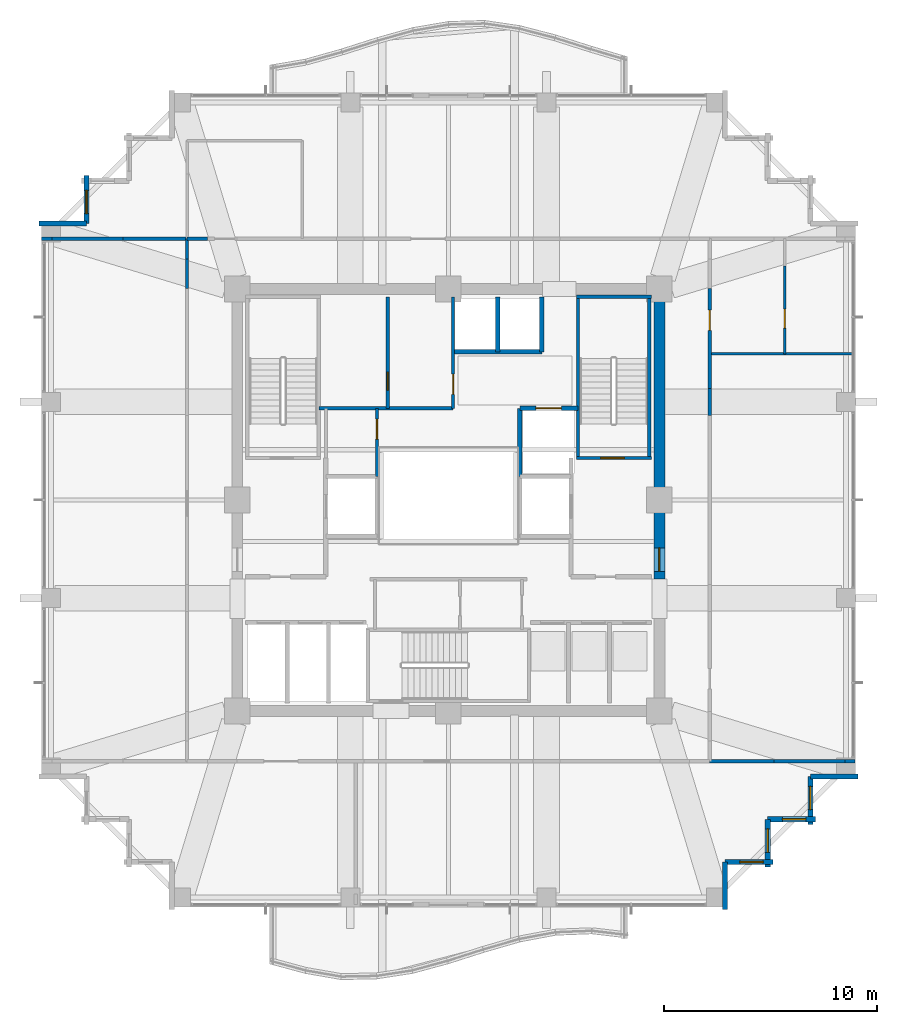
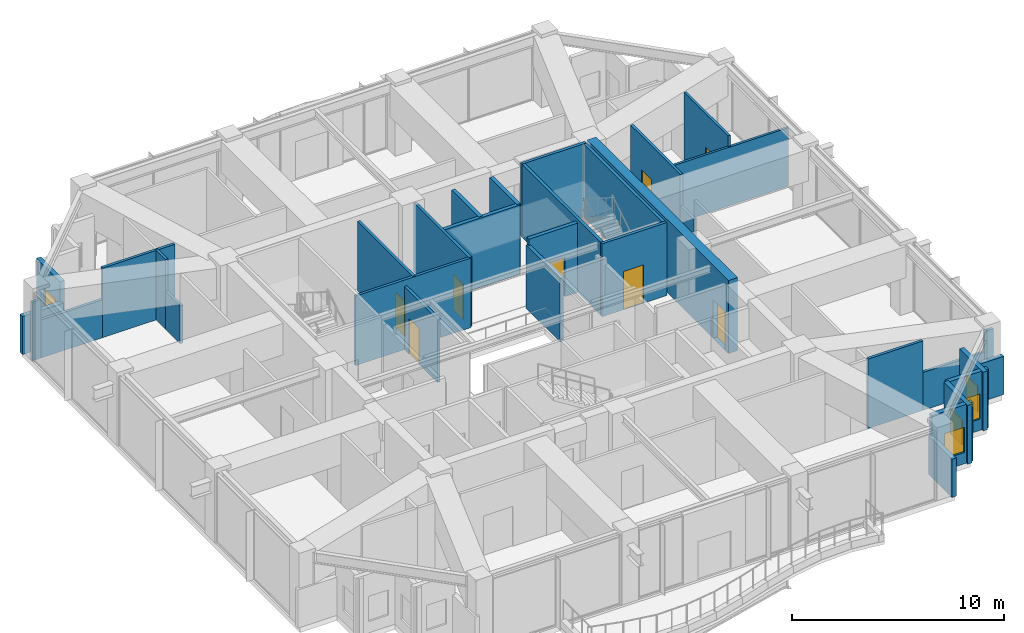
# One storey, part 28 of 33: 35 walls, 8 doors, 5 windows, 13 openings.
"""IFC4 building model written with IfcOpenShell, lengths in metres."""

from ifc_helpers import new_model, si_unit, direction, frame, frame_2d, origin, place, context, subcontext, project, spatial, rectangle, extrude, material, layer, layer_set, type_object, element, fill, save


model = new_model("IFC4")

# Units and contexts
model_context = context("Model", 3, precision=1e-05, world=origin(), true_north=direction((0.0, 1.0)))
body_context = subcontext(model_context, "Body", "Model", "MODEL_VIEW")
ifc_project = project(units=[si_unit("LENGTHUNIT", "METRE"), si_unit("AREAUNIT", "SQUARE_METRE"), si_unit("VOLUMEUNIT", "CUBIC_METRE"), si_unit("PLANEANGLEUNIT", "RADIAN"), si_unit("MASSUNIT", "GRAM", prefix="KILO")], contexts=[model_context])

# Site, building, storey
site_placement = place(None, origin())
site = spatial("IfcSite", under=ifc_project, at=site_placement, CompositionType="ELEMENT")
building_placement = place(site_placement, origin())
building = spatial("IfcBuilding", under=site, at=building_placement, Name="Kolvaren Belvedere", CompositionType="ELEMENT")
storey_placement = place(building_placement, frame((0.0, 0.0, 152.699951171875)))
storey = spatial("IfcBuildingStorey", under=building, at=storey_placement, Name="L44", CompositionType="ELEMENT", Elevation=152.699951171875)

# Wall, opening, door
ifc_material_1 = material(Name="Concrete C50/60", Category="concrete")
ifc_layer_1 = layer(ifc_material_1, 0.5)
ifc_layer_set_1 = layer_set([ifc_layer_1], Name="Concrete C50/60")
wall_type_1 = type_object("IfcWallType", Name="CW-CORE-500", PredefinedType="SHEAR", material=ifc_layer_set_1)
wall_1_placement = place(storey_placement, frame((9.89990234375, -3.699951171875, 0.0), z_axis=(0.0, 0.0, 1.0), x_axis=(0.0, 1.0, 0.0)))
wall_1 = element("IfcWall", 1, at=wall_1_placement, inside=storey, type_object=wall_type_1, Name="L44 East Core Shear Wall 2", PredefinedType="SHEAR", context=body_context, shape_type="SweptSolid", body=[
    extrude(rectangle(XDim=13.349853515625, YDim=0.5, at=frame_2d((6.6748046875, 0.0))), origin(), (0.0, 0.0, 1.0), 4.199951171875),
])
opening_1_placement = place(wall_1_placement, frame((0.35009765625, 0.0, 0.0)))
opening_1 = element("IfcOpeningElement", 2, at=opening_1_placement, cuts=wall_1, Name="Opening D-FD90", PredefinedType="OPENING", context=body_context, shape_type="SweptSolid", body=[
    extrude(rectangle(XDim=1.10009765625, YDim=2.199951171875, at=frame_2d((0.550048828125, 1.10009765625))), frame((0.0, 0.260009765625, 0.0), z_axis=(0.0, -1.0, 0.0), x_axis=(1.0, 0.0, 0.0)), (0.0, 0.0, 1.0), 0.52001953125),
])
ifc_material_2 = material(Name="Painted hollow stainless steel", Category="steel")
door_type_1 = type_object("IfcDoorType", Name="DR-FD90-1100", OperationType="NOTDEFINED", PredefinedType="DOOR", material=ifc_material_2)
door_1_placement = place(opening_1_placement, origin())
door_1 = element("IfcDoor", 3, at=door_1_placement, inside=storey, type_object=door_type_1, Name="L44 East Firefighting Lobby Fire Door", OperationType="SINGLE_SWING_RIGHT", OverallHeight=2.199951171875, OverallWidth=1.10009765625, PredefinedType="DOOR", context=body_context, shape_type="SweptSolid", body=[
    extrude(rectangle(XDim=1.10009765625, YDim=2.199951171875, at=frame_2d((0.550048828125, 1.10009765625))), frame((0.0, 0.02490234375, 0.0), z_axis=(0.0, -1.0, 0.0), x_axis=(1.0, 0.0, 0.0)), (0.0, 0.0, 1.0), 0.050048828125),
])
fill(opening_1, door_1)

ifc_material_3 = material(Name="Concrete C50/60", Category="concrete")
ifc_layer_2 = layer(ifc_material_3, 0.159912109375)
ifc_layer_set_2 = layer_set([ifc_layer_2], Name="Concrete C50/60")
wall_type_2 = type_object("IfcWallType", Name="CW-STAIR-160", PredefinedType="SHEAR", material=ifc_layer_set_2)
wall_2_placement = place(storey_placement, frame((6.0, 1.969970703125, 0.0), z_axis=(0.0, 0.0, 1.0), x_axis=(1.0, 0.0, 0.0)))
wall_2 = element("IfcWall", 4, at=wall_2_placement, inside=storey, type_object=wall_type_2, Name="L44 Stair ST-2 South Shear Wall", PredefinedType="SHEAR", context=body_context, shape_type="SweptSolid", body=[
    extrude(rectangle(XDim=3.52001953125, YDim=0.159912109375, at=frame_2d((1.760009765625, 0.0))), origin(), (0.0, 0.0, 1.0), 4.199951171875),
])
opening_2_placement = place(wall_2_placement, frame((1.14990234375, 0.0, 0.0)))
opening_2 = element("IfcOpeningElement", 5, at=opening_2_placement, cuts=wall_2, Name="Opening D-FD90", PredefinedType="OPENING", context=body_context, shape_type="SweptSolid", body=[
    extrude(rectangle(XDim=1.10009765625, YDim=2.199951171875, at=frame_2d((0.550048828125, 1.10009765625))), frame((0.0, 0.08984375, 0.0), z_axis=(0.0, -1.0, 0.0), x_axis=(1.0, 0.0, 0.0)), (0.0, 0.0, 1.0), 0.179931640625),
])
door_2_placement = place(opening_2_placement, origin())
door_2 = element("IfcDoor", 6, at=door_2_placement, inside=storey, type_object=door_type_1, Name="L44 Stair ST-2 Fire Door", OperationType="SINGLE_SWING_RIGHT", OverallHeight=2.199951171875, OverallWidth=1.10009765625, PredefinedType="DOOR", context=body_context, shape_type="SweptSolid", body=[
    extrude(rectangle(XDim=1.10009765625, YDim=2.199951171875, at=frame_2d((0.550048828125, 1.10009765625))), frame((0.0, 0.02490234375, 0.0), z_axis=(0.0, -1.0, 0.0), x_axis=(1.0, 0.0, 0.0)), (0.0, 0.0, 1.0), 0.050048828125),
])
fill(opening_2, door_2)

# Walls
wall_3_placement = place(storey_placement, frame((6.0, 9.530029296875, 0.0), z_axis=(0.0, 0.0, 1.0), x_axis=(1.0, 0.0, 0.0)))
element("IfcWall", 7, at=wall_3_placement, inside=storey, type_object=wall_type_2, Name="L44 Stair ST-2 North Shear Wall", PredefinedType="SHEAR", context=body_context, shape_type="SweptSolid", body=[
    extrude(rectangle(XDim=3.52001953125, YDim=0.159912109375, at=frame_2d((1.760009765625, 0.0))), origin(), (0.0, 0.0, 1.0), 4.199951171875),
])
for number, where, z_axis, x_axis, name in (
    (8, (6.080078125, 1.969970703125, 0.0), (0.0, 0.0, 1.0), (0.0, 1.0, 0.0), "L44 Stair ST-2 West Shear Wall"),
    (9, (9.429931640625, 1.969970703125, 0.0), (0.0, 0.0, 1.0), (0.0, 1.0, 0.0), "L44 Stair ST-2 East Shear Wall"),
):
    element("IfcWall", number, at=place(storey_placement, frame(where, z_axis=z_axis, x_axis=x_axis)), inside=storey, type_object=wall_type_2, Name=name, PredefinedType="SHEAR", context=body_context, shape_type="SweptSolid", body=[
        extrude(rectangle(XDim=7.56005859375, YDim=0.159912109375, at=frame_2d((3.780029296875, 0.0))), origin(), (0.0, 0.0, 1.0), 4.199951171875),
    ])
ifc_material_4 = material(Name="Gypsum fire-rated partition assembly", Category="gypsum")
ifc_layer_3 = layer(ifc_material_4, 0.14990234375)
ifc_layer_set_3 = layer_set([ifc_layer_3], Name="Gypsum fire-rated partition assembly")
wall_type_3 = type_object("IfcWallType", Name="WL-CORR-150", PredefinedType="PARTITIONING", material=ifc_layer_set_3)
wall_4_placement = place(storey_placement, frame((-12.260009765625, 12.260009765625, 0.0), z_axis=(0.0, 0.0, 1.0), x_axis=(1.0, 0.0, 0.0)))
element("IfcWall", 10, at=wall_4_placement, inside=storey, type_object=wall_type_3, Name="L44 North Corridor Wall", PredefinedType="PARTITIONING", context=body_context, shape_type="SweptSolid", body=[
    extrude(rectangle(XDim=0.949462890625, YDim=0.14990234375, at=frame_2d((0.474609375, 0.0))), origin(), (0.0, 0.0, 1.0), 4.0),
])
wall_5_placement = place(storey_placement, frame((-12.260009765625, 9.9189453125, 0.0), z_axis=(0.0, 0.0, 1.0), x_axis=(0.0, 1.0, 0.0)))
element("IfcWall", 11, at=wall_5_placement, inside=storey, type_object=wall_type_3, Name="L44 West Corridor Wall", PredefinedType="PARTITIONING", context=body_context, shape_type="SweptSolid", body=[
    extrude(rectangle(XDim=1.3916015625, YDim=0.14990234375, at=frame_2d((0.69580078125, 0.0))), origin(), (0.0, 0.0, 1.0), 2.18505859375),
])
wall_6_placement = place(storey_placement, frame((-12.260009765625, 11.310546875, 0.0), z_axis=(0.0, 0.0, 1.0), x_axis=(0.0, 1.0, 0.0)))
element("IfcWall", 12, at=wall_6_placement, inside=storey, type_object=wall_type_3, Name="L44 West Corridor Wall", PredefinedType="PARTITIONING", context=body_context, shape_type="SweptSolid", body=[
    extrude(rectangle(XDim=0.949462890625, YDim=0.14990234375, at=frame_2d((0.474609375, 0.0))), origin(), (0.0, 0.0, 1.0), 4.0),
])
wall_7_placement = place(storey_placement, frame((12.260009765625, 3.9580078125, 0.0), z_axis=(0.0, 0.0, 1.0), x_axis=(0.0, 1.0, 0.0)))
element("IfcWall", 13, at=wall_7_placement, inside=storey, type_object=wall_type_3, Name="L44 East Corridor Wall", PredefinedType="PARTITIONING", context=body_context, shape_type="SweptSolid", body=[
    extrude(rectangle(XDim=1.283935546875, YDim=0.14990234375, at=frame_2d((0.64208984375, 0.0))), origin(), (0.0, 0.0, 1.0), 2.18505859375),
])

# Wall, opening, door
wall_8_placement = place(storey_placement, frame((12.260009765625, 5.241943359375, 0.0), z_axis=(0.0, 0.0, 1.0), x_axis=(0.0, 1.0, 0.0)))
wall_8 = element("IfcWall", 14, at=wall_8_placement, inside=storey, type_object=wall_type_3, Name="L44 East Corridor Wall", PredefinedType="PARTITIONING", context=body_context, shape_type="SweptSolid", body=[
    extrude(rectangle(XDim=4.677001953125, YDim=0.14990234375, at=frame_2d((2.33837890625, 0.0))), origin(), (0.0, 0.0, 1.0), 4.0),
])
opening_3_placement = place(wall_8_placement, frame((2.718017578125, 0.0, 0.0)))
opening_3 = element("IfcOpeningElement", 15, at=opening_3_placement, cuts=wall_8, Name="Opening D-INT95", PredefinedType="OPENING", context=body_context, shape_type="SweptSolid", body=[
    extrude(rectangle(XDim=0.949951171875, YDim=2.06005859375, at=frame_2d((0.47509765625, 1.030029296875))), frame((0.0, 0.0849609375, 0.0), z_axis=(0.0, -1.0, 0.0), x_axis=(1.0, 0.0, 0.0)), (0.0, 0.0, 1.0), 0.169921875),
])
ifc_material_5 = material(Name="Stained Pacific white oak", Category="timber")
door_type_2 = type_object("IfcDoorType", Name="DR-INT-950", OperationType="NOTDEFINED", PredefinedType="DOOR", material=ifc_material_5)
door_3_placement = place(opening_3_placement, origin())
door_3 = element("IfcDoor", 16, at=door_3_placement, inside=storey, type_object=door_type_2, Name="L44 Horizon Club Washroom Door", OperationType="SINGLE_SWING_RIGHT", OverallHeight=2.06005859375, OverallWidth=0.949951171875, PredefinedType="DOOR", context=body_context, shape_type="SweptSolid", body=[
    extrude(rectangle(XDim=0.949951171875, YDim=2.06005859375, at=frame_2d((0.47509765625, 1.030029296875))), frame((0.0, 0.02490234375, 0.0), z_axis=(0.0, -1.0, 0.0), x_axis=(1.0, 0.0, 0.0)), (0.0, 0.0, 1.0), 0.050048828125),
])
fill(opening_3, door_3)

# Walls
wall_9_placement = place(storey_placement, frame((12.260009765625, -12.260009765625, 0.0), z_axis=(0.0, 0.0, 1.0), x_axis=(1.0, 0.0, 0.0)))
element("IfcWall", 17, at=wall_9_placement, inside=storey, type_object=wall_type_3, Name="L44 Sector Wall PW-L44-QSE", PredefinedType="PARTITIONING", context=body_context, shape_type="SweptSolid", body=[
    extrude(rectangle(XDim=3.00390625, YDim=0.14990234375, at=frame_2d((1.501953125, 0.0))), origin(), (0.0, 0.0, 1.0), 4.0),
])
wall_10_placement = place(storey_placement, frame((15.263916015625, -12.260009765625, 0.0), z_axis=(0.0, 0.0, 1.0), x_axis=(1.0, 0.0, 0.0)))
element("IfcWall", 18, at=wall_10_placement, inside=storey, type_object=wall_type_3, Name="L44 Sector Wall PW-L44-QSE", PredefinedType="PARTITIONING", context=body_context, shape_type="SweptSolid", body=[
    extrude(rectangle(XDim=3.34228515625, YDim=0.14990234375, at=frame_2d((1.671142578125, 0.0))), origin(), (0.0, 0.0, 1.0), 2.18505859375),
])
for number, where, z_axis, x_axis, name in (
    (19, (18.606201171875, -12.260009765625, 0.0), (0.0, 0.0, 1.0), (1.0, 0.0, 0.0), "L44 Sector Wall PW-L44-QSE"),
    (20, (-19.080078125, 12.260009765625, 0.0), (0.0, 0.0, 1.0), (1.0, 0.0, 0.0), "L44 Sector Wall PW-L44-QNW"),
):
    element("IfcWall", number, at=place(storey_placement, frame(where, z_axis=z_axis, x_axis=x_axis)), inside=storey, type_object=wall_type_3, Name=name, PredefinedType="PARTITIONING", context=body_context, shape_type="SweptSolid", body=[
        extrude(rectangle(XDim=0.473876953125, YDim=0.14990234375, at=frame_2d((0.23681640625, 0.0))), origin(), (0.0, 0.0, 1.0), 3.373046875),
    ])
wall_11_placement = place(storey_placement, frame((-18.606201171875, 12.260009765625, 0.0), z_axis=(0.0, 0.0, 1.0), x_axis=(1.0, 0.0, 0.0)))
element("IfcWall", 21, at=wall_11_placement, inside=storey, type_object=wall_type_3, Name="L44 Sector Wall PW-L44-QNW", PredefinedType="PARTITIONING", context=body_context, shape_type="SweptSolid", body=[
    extrude(rectangle(XDim=3.34228515625, YDim=0.14990234375, at=frame_2d((1.671142578125, 0.0))), origin(), (0.0, 0.0, 1.0), 2.18505859375),
])
wall_12_placement = place(storey_placement, frame((-15.263916015625, 12.260009765625, 0.0), z_axis=(0.0, 0.0, 1.0), x_axis=(1.0, 0.0, 0.0)))
element("IfcWall", 22, at=wall_12_placement, inside=storey, type_object=wall_type_3, Name="L44 Sector Wall PW-L44-QNW", PredefinedType="PARTITIONING", context=body_context, shape_type="SweptSolid", body=[
    extrude(rectangle(XDim=3.00390625, YDim=0.14990234375, at=frame_2d((1.501953125, 0.0))), origin(), (0.0, 0.0, 1.0), 4.0),
])
ifc_material_6 = material(Name="Insulated pale-metal facade wall assembly", Category="aluminium")
ifc_layer_4 = layer(ifc_material_6, 0.239990234375)
ifc_layer_set_4 = layer_set([ifc_layer_4], Name="Insulated pale-metal facade wall assembly")
wall_type_4 = type_object("IfcWallType", Name="WL-EXT-240", PredefinedType="STANDARD", material=ifc_layer_set_4)
wall_13_placement = place(storey_placement, frame((12.97998046875, -16.97998046875, 0.0), z_axis=(0.0, 0.0, 1.0), x_axis=(0.0, -1.0, 0.0)))
element("IfcWall", 23, at=wall_13_placement, inside=storey, type_object=wall_type_4, Name="L44 Serrated Corner Facade Wall 2", PredefinedType="STANDARD", context=body_context, shape_type="SweptSolid", body=[
    extrude(rectangle(XDim=2.239990234375, YDim=0.239990234375, at=frame_2d((1.1201171875, 0.0))), origin(), (0.0, 0.0, 1.0), 2.195068359375),
])

# Wall, opening, window
wall_14_placement = place(storey_placement, frame((15.219970703125, -16.97998046875, 0.0), z_axis=(0.0, 0.0, 1.0), x_axis=(-1.0, 0.0, 0.0)))
wall_14 = element("IfcWall", 24, at=wall_14_placement, inside=storey, type_object=wall_type_4, Name="L44 Serrated Corner Facade Wall 3", PredefinedType="STANDARD", context=body_context, shape_type="SweptSolid", body=[
    extrude(rectangle(XDim=2.239990234375, YDim=0.239990234375, at=frame_2d((1.1201171875, 0.0))), origin(), (0.0, 0.0, 1.0), 3.383056640625),
])
opening_4_placement = place(wall_14_placement, frame((0.449951171875, 0.0, 0.64990234375)))
opening_4 = element("IfcOpeningElement", 25, at=opening_4_placement, cuts=wall_14, Name="Opening W-1100", PredefinedType="OPENING", context=body_context, shape_type="SweptSolid", body=[
    extrude(rectangle(XDim=1.10009765625, YDim=1.449951171875, at=frame_2d((0.550048828125, 0.72509765625))), frame((0.0, 0.1298828125, 0.0), z_axis=(0.0, -1.0, 0.0), x_axis=(1.0, 0.0, 0.0)), (0.0, 0.0, 1.0), 0.260009765625),
])
ifc_material_7 = material(Name="Low-iron triple insulated glass", Category="glass")
window_type = type_object("IfcWindowType", Name="WN-CORN-1100", PartitioningType="SINGLE_PANEL", PredefinedType="WINDOW", material=ifc_material_7)
window_1_placement = place(opening_4_placement, origin())
window_1 = element("IfcWindow", 26, at=window_1_placement, inside=storey, type_object=window_type, Name="L44 Serrated Corner Vision Window 3", OverallHeight=1.449951171875, OverallWidth=1.10009765625, PartitioningType="SINGLE_PANEL", PredefinedType="WINDOW", context=body_context, shape_type="SweptSolid", body=[
    extrude(rectangle(XDim=1.10009765625, YDim=1.449951171875, at=frame_2d((0.550048828125, 0.72509765625))), frame((0.0, 0.030029296875, 0.0), z_axis=(0.0, -1.0, 0.0), x_axis=(1.0, 0.0, 0.0)), (0.0, 0.0, 1.0), 0.06005859375),
])
fill(opening_4, window_1)

wall_15_placement = place(storey_placement, frame((14.97998046875, -14.97998046875, 0.0), z_axis=(0.0, 0.0, 1.0), x_axis=(0.0, -1.0, 0.0)))
wall_15 = element("IfcWall", 27, at=wall_15_placement, inside=storey, type_object=wall_type_4, Name="L44 Serrated Corner Facade Wall 4", PredefinedType="STANDARD", context=body_context, shape_type="SweptSolid", body=[
    extrude(rectangle(XDim=2.239990234375, YDim=0.239990234375, at=frame_2d((1.1201171875, 0.0))), origin(), (0.0, 0.0, 1.0), 3.383056640625),
])
opening_5_placement = place(wall_15_placement, frame((0.449951171875, 0.0, 0.64990234375)))
opening_5 = element("IfcOpeningElement", 28, at=opening_5_placement, cuts=wall_15, Name="Opening W-1100", PredefinedType="OPENING", context=body_context, shape_type="SweptSolid", body=[
    extrude(rectangle(XDim=1.10009765625, YDim=1.449951171875, at=frame_2d((0.550048828125, 0.72509765625))), frame((0.0, 0.1298828125, 0.0), z_axis=(0.0, -1.0, 0.0), x_axis=(1.0, 0.0, 0.0)), (0.0, 0.0, 1.0), 0.260009765625),
])
window_2_placement = place(opening_5_placement, origin())
window_2 = element("IfcWindow", 29, at=window_2_placement, inside=storey, type_object=window_type, Name="L44 Serrated Corner Vision Window 4", OverallHeight=1.449951171875, OverallWidth=1.10009765625, PartitioningType="SINGLE_PANEL", PredefinedType="WINDOW", context=body_context, shape_type="SweptSolid", body=[
    extrude(rectangle(XDim=1.10009765625, YDim=1.449951171875, at=frame_2d((0.550048828125, 0.72509765625))), frame((0.0, 0.030029296875, 0.0), z_axis=(0.0, -1.0, 0.0), x_axis=(1.0, 0.0, 0.0)), (0.0, 0.0, 1.0), 0.06005859375),
])
fill(opening_5, window_2)

wall_16_placement = place(storey_placement, frame((17.219970703125, -14.97998046875, 0.0), z_axis=(0.0, 0.0, 1.0), x_axis=(-1.0, 0.0, 0.0)))
wall_16 = element("IfcWall", 30, at=wall_16_placement, inside=storey, type_object=wall_type_4, Name="L44 Serrated Corner Facade Wall 5", PredefinedType="STANDARD", context=body_context, shape_type="SweptSolid", body=[
    extrude(rectangle(XDim=2.239990234375, YDim=0.239990234375, at=frame_2d((1.1201171875, 0.0))), origin(), (0.0, 0.0, 1.0), 3.383056640625),
])
opening_6_placement = place(wall_16_placement, frame((0.449951171875, 0.0, 0.64990234375)))
opening_6 = element("IfcOpeningElement", 31, at=opening_6_placement, cuts=wall_16, Name="Opening W-1100", PredefinedType="OPENING", context=body_context, shape_type="SweptSolid", body=[
    extrude(rectangle(XDim=1.10009765625, YDim=1.449951171875, at=frame_2d((0.550048828125, 0.72509765625))), frame((0.0, 0.1298828125, 0.0), z_axis=(0.0, -1.0, 0.0), x_axis=(1.0, 0.0, 0.0)), (0.0, 0.0, 1.0), 0.260009765625),
])
window_3_placement = place(opening_6_placement, origin())
window_3 = element("IfcWindow", 32, at=window_3_placement, inside=storey, type_object=window_type, Name="L44 Serrated Corner Vision Window 5", OverallHeight=1.449951171875, OverallWidth=1.10009765625, PartitioningType="SINGLE_PANEL", PredefinedType="WINDOW", context=body_context, shape_type="SweptSolid", body=[
    extrude(rectangle(XDim=1.10009765625, YDim=1.449951171875, at=frame_2d((0.550048828125, 0.72509765625))), frame((0.0, 0.030029296875, 0.0), z_axis=(0.0, -1.0, 0.0), x_axis=(1.0, 0.0, 0.0)), (0.0, 0.0, 1.0), 0.06005859375),
])
fill(opening_6, window_3)

wall_17_placement = place(storey_placement, frame((16.97998046875, -12.97998046875, 0.0), z_axis=(0.0, 0.0, 1.0), x_axis=(0.0, -1.0, 0.0)))
wall_17 = element("IfcWall", 33, at=wall_17_placement, inside=storey, type_object=wall_type_4, Name="L44 Serrated Corner Facade Wall 6", PredefinedType="STANDARD", context=body_context, shape_type="SweptSolid", body=[
    extrude(rectangle(XDim=2.239990234375, YDim=0.239990234375, at=frame_2d((1.1201171875, 0.0))), origin(), (0.0, 0.0, 1.0), 3.383056640625),
])
opening_7_placement = place(wall_17_placement, frame((0.449951171875, 0.0, 0.64990234375)))
opening_7 = element("IfcOpeningElement", 34, at=opening_7_placement, cuts=wall_17, Name="Opening W-1100", PredefinedType="OPENING", context=body_context, shape_type="SweptSolid", body=[
    extrude(rectangle(XDim=1.10009765625, YDim=1.449951171875, at=frame_2d((0.550048828125, 0.72509765625))), frame((0.0, 0.1298828125, 0.0), z_axis=(0.0, -1.0, 0.0), x_axis=(1.0, 0.0, 0.0)), (0.0, 0.0, 1.0), 0.260009765625),
])
window_4_placement = place(opening_7_placement, origin())
window_4 = element("IfcWindow", 35, at=window_4_placement, inside=storey, type_object=window_type, Name="L44 Serrated Corner Vision Window 6", OverallHeight=1.449951171875, OverallWidth=1.10009765625, PartitioningType="SINGLE_PANEL", PredefinedType="WINDOW", context=body_context, shape_type="SweptSolid", body=[
    extrude(rectangle(XDim=1.10009765625, YDim=1.449951171875, at=frame_2d((0.550048828125, 0.72509765625))), frame((0.0, 0.030029296875, 0.0), z_axis=(0.0, -1.0, 0.0), x_axis=(1.0, 0.0, 0.0)), (0.0, 0.0, 1.0), 0.06005859375),
])
fill(opening_7, window_4)

# Wall
wall_18_placement = place(storey_placement, frame((19.219970703125, -12.97998046875, 0.0), z_axis=(0.0, 0.0, 1.0), x_axis=(-1.0, 0.0, 0.0)))
element("IfcWall", 36, at=wall_18_placement, inside=storey, type_object=wall_type_4, Name="L44 Serrated Corner Facade Wall 7", PredefinedType="STANDARD", context=body_context, shape_type="SweptSolid", body=[
    extrude(rectangle(XDim=2.239990234375, YDim=0.239990234375, at=frame_2d((1.1201171875, 0.0))), origin(), (0.0, 0.0, 1.0), 2.195068359375),
])

# Wall, opening, window
wall_19_placement = place(storey_placement, frame((-16.97998046875, 12.97998046875, 0.0), z_axis=(0.0, 0.0, 1.0), x_axis=(0.0, 1.0, 0.0)))
wall_19 = element("IfcWall", 37, at=wall_19_placement, inside=storey, type_object=wall_type_4, Name="L44 Serrated Corner Facade Wall 20", PredefinedType="STANDARD", context=body_context, shape_type="SweptSolid", body=[
    extrude(rectangle(XDim=2.239990234375, YDim=0.239990234375, at=frame_2d((1.1201171875, 0.0))), origin(), (0.0, 0.0, 1.0), 3.383056640625),
])
opening_8_placement = place(wall_19_placement, frame((0.449951171875, 0.0, 0.64990234375)))
opening_8 = element("IfcOpeningElement", 38, at=opening_8_placement, cuts=wall_19, Name="Opening W-1100", PredefinedType="OPENING", context=body_context, shape_type="SweptSolid", body=[
    extrude(rectangle(XDim=1.10009765625, YDim=1.449951171875, at=frame_2d((0.550048828125, 0.72509765625))), frame((0.0, 0.1298828125, 0.0), z_axis=(0.0, -1.0, 0.0), x_axis=(1.0, 0.0, 0.0)), (0.0, 0.0, 1.0), 0.260009765625),
])
window_5_placement = place(opening_8_placement, origin())
window_5 = element("IfcWindow", 39, at=window_5_placement, inside=storey, type_object=window_type, Name="L44 Serrated Corner Vision Window 20", OverallHeight=1.449951171875, OverallWidth=1.10009765625, PartitioningType="SINGLE_PANEL", PredefinedType="WINDOW", context=body_context, shape_type="SweptSolid", body=[
    extrude(rectangle(XDim=1.10009765625, YDim=1.449951171875, at=frame_2d((0.550048828125, 0.72509765625))), frame((0.0, 0.030029296875, 0.0), z_axis=(0.0, -1.0, 0.0), x_axis=(1.0, 0.0, 0.0)), (0.0, 0.0, 1.0), 0.06005859375),
])
fill(opening_8, window_5)

# Walls
wall_20_placement = place(storey_placement, frame((-19.219970703125, 12.97998046875, 0.0), z_axis=(0.0, 0.0, 1.0), x_axis=(1.0, 0.0, 0.0)))
element("IfcWall", 40, at=wall_20_placement, inside=storey, type_object=wall_type_4, Name="L44 Serrated Corner Facade Wall 21", PredefinedType="STANDARD", context=body_context, shape_type="SweptSolid", body=[
    extrude(rectangle(XDim=2.239990234375, YDim=0.239990234375, at=frame_2d((1.1201171875, 0.0))), origin(), (0.0, 0.0, 1.0), 2.195068359375),
])
ifc_material_8 = material(Name="Gypsum acoustic partition assembly", Category="gypsum")
ifc_layer_5 = layer(ifc_material_8, 0.14990234375)
ifc_layer_set_5 = layer_set([ifc_layer_5], Name="Gypsum acoustic partition assembly")
wall_type_5 = type_object("IfcWallType", Name="WL-PART-150", PredefinedType="PARTITIONING", material=ifc_layer_set_5)
wall_21_placement = place(storey_placement, frame((-6.080078125, 4.300048828125, 0.0), z_axis=(0.0, 0.0, 1.0), x_axis=(1.0, 0.0, 0.0)))
element("IfcWall", 41, at=wall_21_placement, inside=storey, type_object=wall_type_5, Name="L44 Reclaimed Salon South Wall", PredefinedType="PARTITIONING", context=body_context, shape_type="SweptSolid", body=[
    extrude(rectangle(XDim=6.300048828125, YDim=0.14990234375, at=frame_2d((3.14990234375, 0.0))), origin(), (0.0, 0.0, 1.0), 4.0),
])

# Wall, opening, door
wall_22_placement = place(storey_placement, frame((0.219970703125, 4.300048828125, 0.0), z_axis=(0.0, 0.0, 1.0), x_axis=(0.0, 1.0, 0.0)))
wall_22 = element("IfcWall", 42, at=wall_22_placement, inside=storey, type_object=wall_type_5, Name="L44 Reclaimed Salon East Wall", PredefinedType="PARTITIONING", context=body_context, shape_type="SweptSolid", body=[
    extrude(rectangle(XDim=5.219970703125, YDim=0.14990234375, at=frame_2d((2.60986328125, 0.0))), origin(), (0.0, 0.0, 1.0), 4.0),
])
opening_9_placement = place(wall_22_placement, frame((0.64990234375, 0.0, 0.0)))
opening_9 = element("IfcOpeningElement", 43, at=opening_9_placement, cuts=wall_22, Name="Opening D-INT95", PredefinedType="OPENING", context=body_context, shape_type="SweptSolid", body=[
    extrude(rectangle(XDim=0.949951171875, YDim=2.06005859375, at=frame_2d((0.47509765625, 1.030029296875))), frame((0.0, 0.0849609375, 0.0), z_axis=(0.0, -1.0, 0.0), x_axis=(1.0, 0.0, 0.0)), (0.0, 0.0, 1.0), 0.169921875),
])
door_4_placement = place(opening_9_placement, origin())
door_4 = element("IfcDoor", 44, at=door_4_placement, inside=storey, type_object=door_type_2, Name="L44 Sky Boardroom Door", OperationType="SINGLE_SWING_LEFT", OverallHeight=2.06005859375, OverallWidth=0.949951171875, PredefinedType="DOOR", context=body_context, shape_type="SweptSolid", body=[
    extrude(rectangle(XDim=0.949951171875, YDim=2.06005859375, at=frame_2d((0.47509765625, 1.030029296875))), frame((0.0, 0.02490234375, 0.0), z_axis=(0.0, -1.0, 0.0), x_axis=(1.0, 0.0, 0.0)), (0.0, 0.0, 1.0), 0.050048828125),
])
fill(opening_9, door_4)

wall_23_placement = place(storey_placement, frame((-2.85009765625, 4.300048828125, 0.0), z_axis=(0.0, 0.0, 1.0), x_axis=(0.0, 1.0, 0.0)))
wall_23 = element("IfcWall", 45, at=wall_23_placement, inside=storey, type_object=wall_type_5, Name="L44 Reclaimed Salon Divider", PredefinedType="PARTITIONING", context=body_context, shape_type="SweptSolid", body=[
    extrude(rectangle(XDim=5.219970703125, YDim=0.14990234375, at=frame_2d((2.60986328125, 0.0))), origin(), (0.0, 0.0, 1.0), 4.0),
])
opening_10_placement = place(wall_23_placement, frame((0.85009765625, 0.0, 0.0)))
opening_10 = element("IfcOpeningElement", 46, at=opening_10_placement, cuts=wall_23, Name="Opening D-INT85", PredefinedType="OPENING", context=body_context, shape_type="SweptSolid", body=[
    extrude(rectangle(XDim=0.85009765625, YDim=2.030029296875, at=frame_2d((0.425048828125, 1.01513671875))), frame((0.0, 0.0849609375, 0.0), z_axis=(0.0, -1.0, 0.0), x_axis=(1.0, 0.0, 0.0)), (0.0, 0.0, 1.0), 0.169921875),
])
ifc_material_9 = material(Name="Stained Pacific white oak", Category="timber")
door_type_3 = type_object("IfcDoorType", Name="DR-INT-850", OperationType="NOTDEFINED", PredefinedType="DOOR", material=ifc_material_9)
door_5_placement = place(opening_10_placement, origin())
door_5 = element("IfcDoor", 47, at=door_5_placement, inside=storey, type_object=door_type_3, Name="L44 Beverage Pantry Door", OperationType="SINGLE_SWING_RIGHT", OverallHeight=2.030029296875, OverallWidth=0.85009765625, PredefinedType="DOOR", context=body_context, shape_type="SweptSolid", body=[
    extrude(rectangle(XDim=0.85009765625, YDim=2.030029296875, at=frame_2d((0.425048828125, 1.01513671875))), frame((0.0, 0.02490234375, 0.0), z_axis=(0.0, -1.0, 0.0), x_axis=(1.0, 0.0, 0.0)), (0.0, 0.0, 1.0), 0.050048828125),
])
fill(opening_10, door_5)

wall_24_placement = place(storey_placement, frame((-3.35009765625, 1.10009765625, 0.0), z_axis=(0.0, 0.0, 1.0), x_axis=(0.0, 1.0, 0.0)))
wall_24 = element("IfcWall", 48, at=wall_24_placement, inside=storey, type_object=wall_type_5, Name="L44 NW Service Room East Wall", PredefinedType="PARTITIONING", context=body_context, shape_type="SweptSolid", body=[
    extrude(rectangle(XDim=3.199951171875, YDim=0.14990234375, at=frame_2d((1.60009765625, 0.0))), origin(), (0.0, 0.0, 1.0), 3.635009765625),
])
opening_11_placement = place(wall_24_placement, frame((1.75, 0.0, 0.0)))
opening_11 = element("IfcOpeningElement", 49, at=opening_11_placement, cuts=wall_24, Name="Opening D-FD60", PredefinedType="OPENING", context=body_context, shape_type="SweptSolid", body=[
    extrude(rectangle(XDim=0.949951171875, YDim=2.06005859375, at=frame_2d((0.47509765625, 1.030029296875))), frame((0.0, 0.0849609375, 0.0), z_axis=(0.0, -1.0, 0.0), x_axis=(1.0, 0.0, 0.0)), (0.0, 0.0, 1.0), 0.169921875),
])
ifc_material_10 = material(Name="Acoustic white-oak fire door leaf", Category="timber")
door_type_4 = type_object("IfcDoorType", Name="DR-FD60-950", OperationType="NOTDEFINED", PredefinedType="DOOR", material=ifc_material_10)
door_6_placement = place(opening_11_placement, origin())
door_6 = element("IfcDoor", 50, at=door_6_placement, inside=storey, type_object=door_type_4, Name="L44 NW Core Store Door", OperationType="SINGLE_SWING_LEFT", OverallHeight=2.06005859375, OverallWidth=0.949951171875, PredefinedType="DOOR", context=body_context, shape_type="SweptSolid", body=[
    extrude(rectangle(XDim=0.949951171875, YDim=2.06005859375, at=frame_2d((0.47509765625, 1.030029296875))), frame((0.0, 0.02490234375, 0.0), z_axis=(0.0, -1.0, 0.0), x_axis=(1.0, 0.0, 0.0)), (0.0, 0.0, 1.0), 0.050048828125),
])
fill(opening_11, door_6)

ifc_material_11 = material(Name="Concrete C50/60", Category="concrete")
ifc_layer_6 = layer(ifc_material_11, 0.199951171875)
ifc_layer_set_6 = layer_set([ifc_layer_6], Name="Concrete C50/60")
wall_type_6 = type_object("IfcWallType", Name="WL-SHAFT-200", PredefinedType="SOLIDWALL", material=ifc_layer_set_6)
wall_25_placement = place(storey_placement, frame((3.35009765625, 4.300048828125, 0.0), z_axis=(0.0, 0.0, 1.0), x_axis=(1.0, 0.0, 0.0)))
wall_25 = element("IfcWall", 51, at=wall_25_placement, inside=storey, type_object=wall_type_6, Name="L44 Service Lift SV1 Front Wall", PredefinedType="SOLIDWALL", context=body_context, shape_type="SweptSolid", body=[
    extrude(rectangle(XDim=2.72998046875, YDim=0.199951171875, at=frame_2d((1.364990234375, 0.0))), origin(), (0.0, 0.0, 1.0), 4.0),
])
opening_12_placement = place(wall_25_placement, frame((0.75, 0.0, 0.0)))
opening_12 = element("IfcOpeningElement", 52, at=opening_12_placement, cuts=wall_25, Name="Opening LD-12", PredefinedType="OPENING", context=body_context, shape_type="SweptSolid", body=[
    extrude(rectangle(XDim=1.199951171875, YDim=2.25, at=frame_2d((0.60009765625, 1.125))), frame((0.0, 0.10986328125, 0.0), z_axis=(0.0, -1.0, 0.0), x_axis=(1.0, 0.0, 0.0)), (0.0, 0.0, 1.0), 0.219970703125),
])
ifc_material_12 = material(Name="Brushed stainless steel", Category="steel")
door_type_5 = type_object("IfcDoorType", Name="DR-LIFT-1200", OperationType="DOUBLE_DOOR_SLIDING", PredefinedType="DOOR", material=ifc_material_12)
door_7_placement = place(opening_12_placement, origin())
door_7 = element("IfcDoor", 53, at=door_7_placement, inside=storey, type_object=door_type_5, Name="L44 Service Lift SV1 Landing Door", OperationType="DOUBLE_DOOR_SLIDING", OverallHeight=2.25, OverallWidth=1.199951171875, PredefinedType="DOOR", context=body_context, shape_type="SweptSolid", body=[
    extrude(rectangle(XDim=1.199951171875, YDim=2.25, at=frame_2d((0.60009765625, 1.125))), frame((0.0, 0.02490234375, 0.0), z_axis=(0.0, -1.0, 0.0), x_axis=(1.0, 0.0, 0.0)), (0.0, 0.0, 1.0), 0.050048828125),
])
fill(opening_12, door_7)

# Walls
wall_26_placement = place(storey_placement, frame((3.35009765625, 1.10009765625, 0.0), z_axis=(0.0, 0.0, 1.0), x_axis=(0.0, 1.0, 0.0)))
element("IfcWall", 54, at=wall_26_placement, inside=storey, type_object=wall_type_6, Name="L44 Service Lift SV1 West Wall", PredefinedType="SOLIDWALL", context=body_context, shape_type="SweptSolid", body=[
    extrude(rectangle(XDim=3.199951171875, YDim=0.199951171875, at=frame_2d((1.60009765625, 0.0))), origin(), (0.0, 0.0, 1.0), 3.635009765625),
])
wall_27_placement = place(storey_placement, frame((0.219970703125, 6.949951171875, 0.0), z_axis=(0.0, 0.0, 1.0), x_axis=(1.0, 0.0, 0.0)))
element("IfcWall", 55, at=wall_27_placement, inside=storey, type_object=wall_type_6, Name="L44 Express Shuttle Hoistway Wall", PredefinedType="SOLIDWALL", context=body_context, shape_type="SweptSolid", body=[
    extrude(rectangle(XDim=4.179931640625, YDim=0.199951171875, at=frame_2d((2.08984375, 0.0))), origin(), (0.0, 0.0, 1.0), 4.0),
])
for number, where, z_axis, x_axis, name in (
    (56, (4.3798828125, 6.949951171875, 0.0), (0.0, 0.0, 1.0), (0.0, 1.0, 0.0), "L44 Express Shuttle East Wall"),
    (57, (2.31005859375, 6.949951171875, 0.0), (0.0, 0.0, 1.0), (0.0, 1.0, 0.0), "L44 Express Shuttle Divider"),
):
    element("IfcWall", number, at=place(storey_placement, frame(where, z_axis=z_axis, x_axis=x_axis)), inside=storey, type_object=wall_type_6, Name=name, PredefinedType="SOLIDWALL", context=body_context, shape_type="SweptSolid", body=[
        extrude(rectangle(XDim=2.570068359375, YDim=0.199951171875, at=frame_2d((1.28515625, 0.0))), origin(), (0.0, 0.0, 1.0), 4.0),
    ])
ifc_material_13 = material(Name="Moisture-resistant gypsum partition", Category="gypsum")
ifc_layer_7 = layer(ifc_material_13, 0.125)
ifc_layer_set_7 = layer_set([ifc_layer_7], Name="Moisture-resistant gypsum partition")
wall_type_7 = type_object("IfcWallType", Name="WL-WET-125", PredefinedType="PARTITIONING", material=ifc_layer_set_7)
wall_28_placement = place(storey_placement, frame((12.260009765625, 6.860107421875, 0.0), z_axis=(0.0, 0.0, 1.0), x_axis=(1.0, 0.0, 0.0)))
element("IfcWall", 58, at=wall_28_placement, inside=storey, type_object=wall_type_7, Name="L44 East Washroom Wall", PredefinedType="PARTITIONING", context=body_context, shape_type="SweptSolid", body=[
    extrude(rectangle(XDim=6.719970703125, YDim=0.125, at=frame_2d((3.35986328125, 0.0))), origin(), (0.0, 0.0, 1.0), 3.373046875),
])

# Wall, opening, door
wall_29_placement = place(storey_placement, frame((15.780029296875, 6.860107421875, 0.0), z_axis=(0.0, 0.0, 1.0), x_axis=(0.0, 1.0, 0.0)))
wall_29 = element("IfcWall", 59, at=wall_29_placement, inside=storey, type_object=wall_type_7, Name="L44 East Washroom Back Wall", PredefinedType="PARTITIONING", context=body_context, shape_type="SweptSolid", body=[
    extrude(rectangle(XDim=4.128662109375, YDim=0.125, at=frame_2d((2.064453125, 0.0))), origin(), (0.0, 0.0, 1.0), 4.0),
])
opening_13_placement = place(wall_29_placement, frame((1.199951171875, 0.0, 0.0)))
opening_13 = element("IfcOpeningElement", 60, at=opening_13_placement, cuts=wall_29, Name="Opening D-INT90", PredefinedType="OPENING", context=body_context, shape_type="SweptSolid", body=[
    extrude(rectangle(XDim=0.89990234375, YDim=2.06005859375, at=frame_2d((0.449951171875, 1.030029296875))), frame((0.0, 0.072509765625, 0.0), z_axis=(0.0, -1.0, 0.0), x_axis=(1.0, 0.0, 0.0)), (0.0, 0.0, 1.0), 0.14501953125),
])
ifc_material_14 = material(Name="Stained Pacific white oak", Category="timber")
door_type_6 = type_object("IfcDoorType", Name="DR-INT-900", OperationType="NOTDEFINED", PredefinedType="DOOR", material=ifc_material_14)
door_8_placement = place(opening_13_placement, origin())
door_8 = element("IfcDoor", 61, at=door_8_placement, inside=storey, type_object=door_type_6, Name="L44 Hospitality Service Pantry Door", OperationType="SINGLE_SWING_LEFT", OverallHeight=2.06005859375, OverallWidth=0.89990234375, PredefinedType="DOOR", context=body_context, shape_type="SweptSolid", body=[
    extrude(rectangle(XDim=0.89990234375, YDim=2.06005859375, at=frame_2d((0.449951171875, 1.030029296875))), frame((0.0, 0.02490234375, 0.0), z_axis=(0.0, -1.0, 0.0), x_axis=(1.0, 0.0, 0.0)), (0.0, 0.0, 1.0), 0.050048828125),
])
fill(opening_13, door_8)

save(model, "model.ifc")
